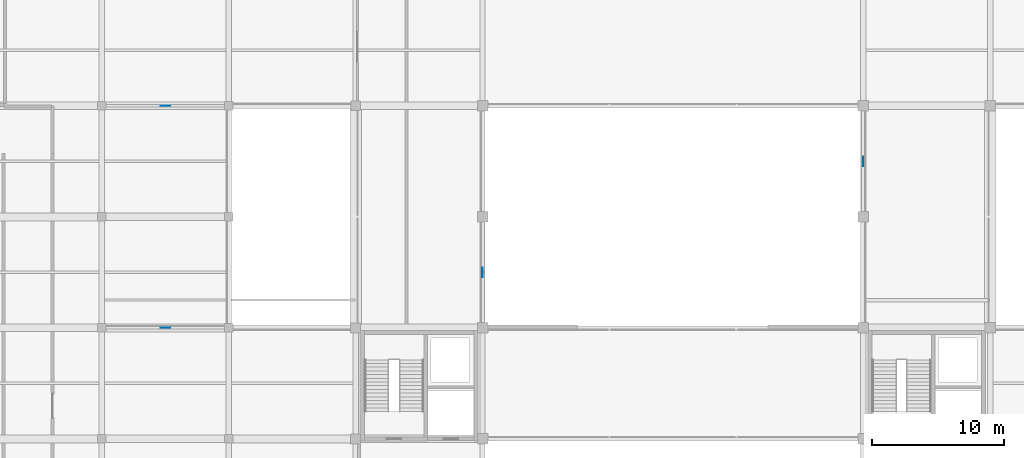
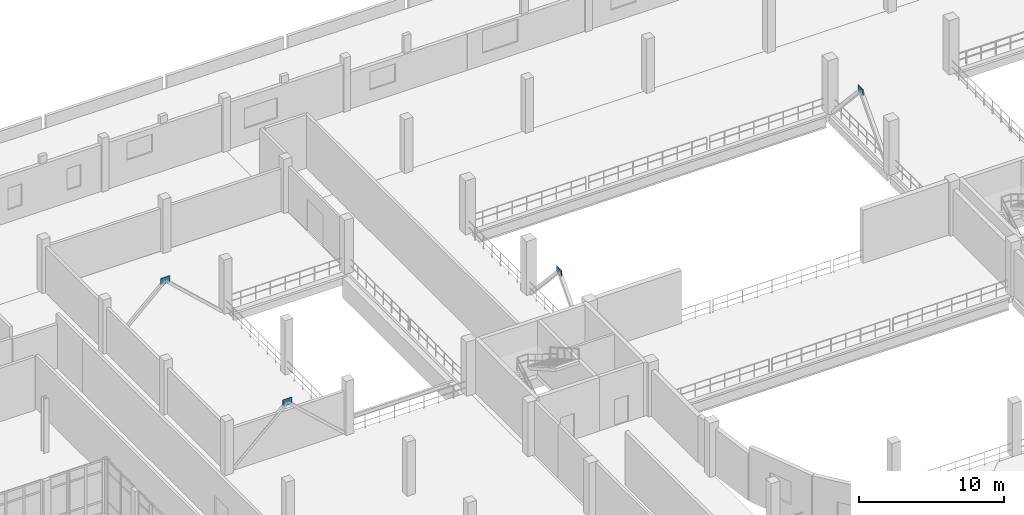
# One storey, part 86 of 102: 4 plates.
"""IFC4 building model written with IfcOpenShell, lengths in metres."""

from ifc_helpers import new_model, si_unit, direction, frame, origin, origin_2d, place, context, subcontext, project, spatial, rectangle, extrude, material, layer, layer_set, type_object, element, save


model = new_model("IFC4")

# Units and contexts
model_context = context("Model", 3, precision=1e-05, world=origin(), true_north=direction((0.0, 1.0)))
body_context = subcontext(model_context, "Body", "Model", "MODEL_VIEW")
ifc_project = project(units=[si_unit("LENGTHUNIT", "METRE"), si_unit("AREAUNIT", "SQUARE_METRE"), si_unit("VOLUMEUNIT", "CUBIC_METRE"), si_unit("PLANEANGLEUNIT", "RADIAN"), si_unit("MASSUNIT", "GRAM", prefix="KILO")], contexts=[model_context])

# Site, building, storey
site_placement = place(None, origin())
site = spatial("IfcSite", under=ifc_project, at=site_placement, CompositionType="ELEMENT")
building_placement = place(site_placement, origin())
building = spatial("IfcBuilding", under=site, at=building_placement, Name="Lornevale Opera House", CompositionType="ELEMENT")
storey_placement = place(building_placement, frame((0.0, 0.0, 5.39990234375)))
storey = spatial("IfcBuildingStorey", under=building, at=storey_placement, Name="L02", CompositionType="ELEMENT", Elevation=5.39990234375)

# Plates
ifc_material = material(Name="Structural Steel CSA G40.21 Grade 350W (350 MPa)", Category="steel")
ifc_layer = layer(ifc_material, 0.02392578125)
ifc_layer_set = layer_set([ifc_layer], Name="Structural Steel CSA G40.21 Grade 350W (350 MPa)")
plate_type = type_object("IfcPlateType", Name="Chevron Brace Gusset 720x550x24", PredefinedType="USERDEFINED", material=ifc_layer_set)
for number, where, z_axis, x_axis, name in (
    (1, (67.199951171875, 71.39990234375, 3.96484375), (0.0, 0.0, 1.0), (0.0, 1.0, 0.0), "Chevron Brace Gusset PT-0054"),
    (2, (96.0, 79.800048828125, 3.96484375), (0.0, 0.0, 1.0), (0.0, 1.0, 0.0), "Chevron Brace Gusset PT-0060"),
    (3, (43.199951171875, 67.199951171875, 3.955078125), (0.0, 0.0, 1.0), (1.0, 0.0, 0.0), "Chevron Brace Gusset PT-0067"),
    (4, (43.199951171875, 84.0, 3.96484375), (0.0, 0.0, 1.0), (1.0, 0.0, 0.0), "Chevron Brace Gusset PT-0071"),
):
    element("IfcPlate", number, at=place(storey_placement, frame(where, z_axis=z_axis, x_axis=x_axis)), inside=storey, type_object=plate_type, Name=name, ObjectType="GUSSET PLATE", PredefinedType="USERDEFINED", context=body_context, shape_type="SweptSolid", body=[
        extrude(rectangle(XDim=0.719970703125, YDim=0.02392578125, at=origin_2d()), origin(), (0.0, 0.0, 1.0), 0.550048828125),
    ])

save(model, "model.ifc")
